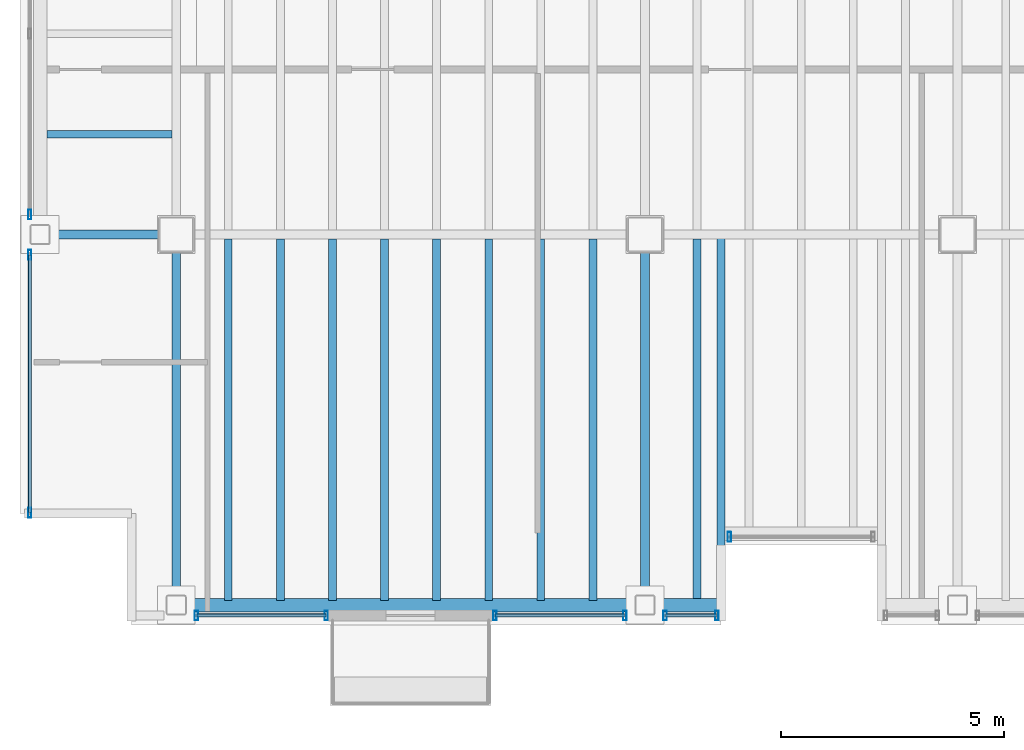
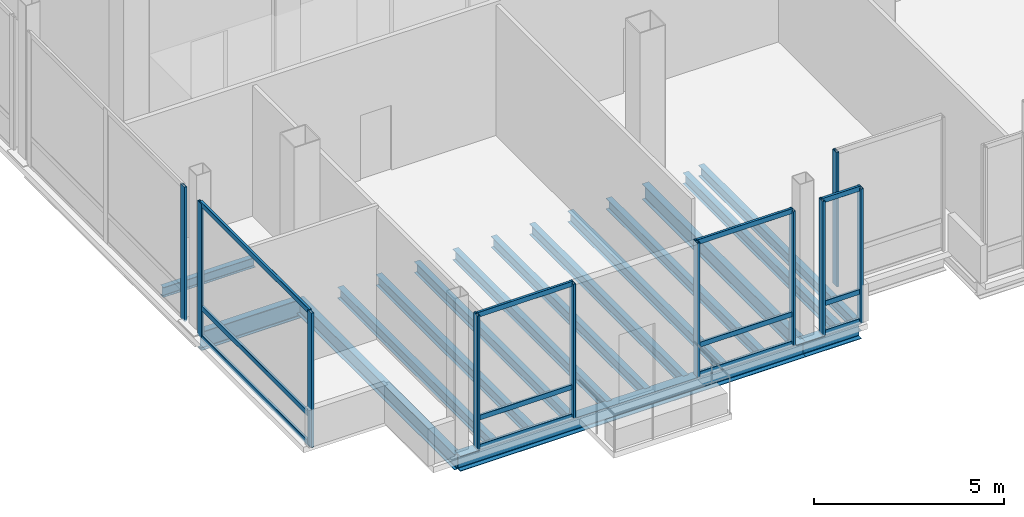
# One storey, part 2 of 15: 22 members, 16 beams, 6 elements without a shape of their own.
"""IFC4 building model written with IfcOpenShell, lengths in metres."""

from ifc_helpers import new_model, si_unit, direction, frame, origin, origin_2d, place, context, subcontext, project, spatial, hollow_rectangle, i_section, extrude, material, material_profile, profile_set, type_object, element, aggregate, save


model = new_model("IFC4")

# Units and contexts
model_context = context("Model", 3, precision=1e-05, world=origin(), true_north=direction((0.0, 1.0)))
body_context = subcontext(model_context, "Body", "Model", "MODEL_VIEW")
ifc_project = project(units=[si_unit("LENGTHUNIT", "METRE"), si_unit("AREAUNIT", "SQUARE_METRE"), si_unit("VOLUMEUNIT", "CUBIC_METRE"), si_unit("PLANEANGLEUNIT", "RADIAN"), si_unit("MASSUNIT", "GRAM", prefix="KILO")], contexts=[model_context])

# Site, building, storey
site_placement = place(None, origin())
site = spatial("IfcSite", under=ifc_project, at=site_placement, CompositionType="ELEMENT")
building_placement = place(site_placement, origin())
building = spatial("IfcBuilding", under=site, at=building_placement, Name="Noeulbin Bourse Tower", CompositionType="ELEMENT")
storey_placement = place(building_placement, frame((0.0, 0.0, 206.10009765625)))
storey = spatial("IfcBuildingStorey", under=building, at=storey_placement, Name="L51", CompositionType="ELEMENT", Elevation=206.10009765625)

# Beams
ifc_material_1 = material(Name="Steel S355", Category="steel")
ifc_material_profile_1 = material_profile(ifc_material_1, i_section(OverallWidth=0.199951171875, OverallDepth=0.5, WebThickness=0.010009765625, FlangeThickness=0.01611328125, FilletRadius=0.02001953125, at=origin_2d()), Name="H-500x200x10x16", Category="LoadBearing")
ifc_profile_set_1 = profile_set([ifc_material_profile_1], Name="Steel S355")
beam_type_1 = type_object("IfcBeamType", Name="BM-GRD-500", PredefinedType="USERDEFINED", material=ifc_profile_set_1)
for number, where, z_axis, x_axis, name in (
    (1, (13.5, 11.699951171875, -0.43017578125), (0.0, 1.0, 0.0), (-1.0, 0.0, 0.0), "Tower Primary Girder NS L51-1.1"),
    (2, (24.0, 11.699951171875, -0.43017578125), (0.0, 1.0, 0.0), (-1.0, 0.0, 0.0), "Tower Primary Girder NS L51-2.1"),
):
    element("IfcBeam", number, at=place(storey_placement, frame(where, z_axis=z_axis, x_axis=x_axis)), inside=storey, type_object=beam_type_1, Name=name, ObjectType="GIRDER", PredefinedType="USERDEFINED", context=body_context, shape_type="SweptSolid", body=[
        extrude(i_section(OverallWidth=0.199951171875, OverallDepth=0.5, WebThickness=0.010009765625, FlangeThickness=0.01611328125, FilletRadius=0.02001953125, at=origin_2d()), origin(), (0.0, 0.0, 1.0), 8.300048828125),
    ])
ifc_material_profile_2 = material_profile(ifc_material_1, i_section(OverallWidth=0.199951171875, OverallDepth=0.60009765625, WebThickness=0.010986328125, FlangeThickness=0.01708984375, FilletRadius=0.02197265625, at=origin_2d()), Name="H-600x200x11x17", Category="LoadBearing")
ifc_profile_set_2 = profile_set([ifc_material_profile_2], Name="Steel S355")
beam_type_2 = type_object("IfcBeamType", Name="BM-GRD-600", PredefinedType="USERDEFINED", material=ifc_profile_set_2)
beam_1_placement = place(storey_placement, frame((10.449951171875, 20.0, -0.47998046875), z_axis=(1.0, 0.0, 0.0), x_axis=(0.0, 1.0, 0.0)))
element("IfcBeam", 3, at=beam_1_placement, inside=storey, type_object=beam_type_2, Name="Tower Primary Girder EW L51-1.1", ObjectType="GIRDER", PredefinedType="USERDEFINED", context=body_context, shape_type="SweptSolid", body=[
    extrude(i_section(OverallWidth=0.199951171875, OverallDepth=0.60009765625, WebThickness=0.010986328125, FlangeThickness=0.01708984375, FilletRadius=0.02197265625, at=origin_2d()), origin(), (0.0, 0.0, 1.0), 3.050048828125),
])
ifc_material_profile_3 = material_profile(ifc_material_1, i_section(OverallWidth=0.159912109375, OverallDepth=0.320068359375, WebThickness=0.006591796875, FlangeThickness=0.010009765625, FilletRadius=0.012939453125, at=origin_2d()), Name="H-320x160x6.5x10", Category="LoadBearing")
ifc_profile_set_3 = profile_set([ifc_material_profile_3], Name="Steel S355")
beam_type_3 = type_object("IfcBeamType", Name="BM-JST-320", PredefinedType="JOIST", material=ifc_profile_set_3)
beam_2_placement = place(storey_placement, frame((10.60009765625, 22.25, -0.340087890625), z_axis=(1.0, 0.0, 0.0), x_axis=(0.0, 1.0, 0.0)))
element("IfcBeam", 4, at=beam_2_placement, inside=storey, type_object=beam_type_3, Name="Wing Composite Joist L51-W47", PredefinedType="JOIST", context=body_context, shape_type="SweptSolid", body=[
    extrude(i_section(OverallWidth=0.159912109375, OverallDepth=0.320068359375, WebThickness=0.006591796875, FlangeThickness=0.010009765625, FilletRadius=0.012939453125, at=origin_2d()), origin(), (0.0, 0.0, 1.0), 2.7998046875),
])
ifc_material_profile_4 = material_profile(ifc_material_1, i_section(OverallWidth=0.175048828125, OverallDepth=0.35009765625, WebThickness=0.007080078125, FlangeThickness=0.010986328125, FilletRadius=0.013916015625, at=origin_2d()), Name="H-350x175x7x11", Category="LoadBearing")
ifc_profile_set_4 = profile_set([ifc_material_profile_4], Name="Steel S355")
beam_type_4 = type_object("IfcBeamType", Name="BM-JST-350", PredefinedType="JOIST", material=ifc_profile_set_4)
beam_3_placement = place(storey_placement, frame((25.699951171875, 11.699951171875, -0.35498046875), z_axis=(0.0, 1.0, 0.0), x_axis=(-1.0, 0.0, 0.0)))
element("IfcBeam", 5, at=beam_3_placement, inside=storey, type_object=beam_type_4, Name="BM-L51-SRT-W", PredefinedType="JOIST", context=body_context, shape_type="SweptSolid", body=[
    extrude(i_section(OverallWidth=0.175048828125, OverallDepth=0.35009765625, WebThickness=0.007080078125, FlangeThickness=0.010986328125, FilletRadius=0.013916015625, at=origin_2d()), origin(), (0.0, 0.0, 1.0), 8.300048828125),
])
for number, where, z_axis, x_axis, name in (
    (6, (14.666748046875, 11.800048828125, -0.35498046875), (0.0, 1.0, 0.0), (-1.0, 0.0, 0.0), "Tower Composite Joist L51-01"),
    (7, (15.833251953125, 11.800048828125, -0.35498046875), (0.0, 1.0, 0.0), (-1.0, 0.0, 0.0), "Tower Composite Joist L51-03"),
    (8, (17.0, 11.800048828125, -0.35498046875), (0.0, 1.0, 0.0), (-1.0, 0.0, 0.0), "Tower Composite Joist L51-05"),
    (9, (18.166748046875, 11.800048828125, -0.35498046875), (0.0, 1.0, 0.0), (-1.0, 0.0, 0.0), "Tower Composite Joist L51-07"),
    (10, (19.333251953125, 11.800048828125, -0.35498046875), (0.0, 1.0, 0.0), (-1.0, 0.0, 0.0), "Tower Composite Joist L51-09"),
    (11, (20.5, 11.800048828125, -0.35498046875), (0.0, 1.0, 0.0), (-1.0, 0.0, 0.0), "Tower Composite Joist L51-11"),
    (12, (21.666748046875, 11.800048828125, -0.35498046875), (0.0, 1.0, 0.0), (-1.0, 0.0, 0.0), "Tower Composite Joist L51-13"),
    (13, (22.833251953125, 11.800048828125, -0.35498046875), (0.0, 1.0, 0.0), (-1.0, 0.0, 0.0), "Tower Composite Joist L51-15"),
    (14, (25.166748046875, 11.800048828125, -0.35498046875), (0.0, 1.0, 0.0), (-1.0, 0.0, 0.0), "Tower Composite Joist L51-17"),
):
    element("IfcBeam", number, at=place(storey_placement, frame(where, z_axis=z_axis, x_axis=x_axis)), inside=storey, type_object=beam_type_4, Name=name, PredefinedType="JOIST", context=body_context, shape_type="SweptSolid", body=[
        extrude(i_section(OverallWidth=0.175048828125, OverallDepth=0.35009765625, WebThickness=0.007080078125, FlangeThickness=0.010986328125, FilletRadius=0.013916015625, at=origin_2d()), origin(), (0.0, 0.0, 1.0), 8.099853515625),
    ])
ifc_material_profile_5 = material_profile(ifc_material_1, i_section(OverallWidth=0.300048828125, OverallDepth=0.488037109375, WebThickness=0.010986328125, FlangeThickness=0.01806640625, FilletRadius=0.02197265625, at=origin_2d()), Name="H-488x300x11x18", Category="LoadBearing")
ifc_profile_set_5 = profile_set([ifc_material_profile_5], Name="Steel S355")
beam_type_5 = type_object("IfcBeamType", Name="BM-SPN-488", PredefinedType="SPANDREL", material=ifc_profile_set_5)
beam_4_placement = place(storey_placement, frame((13.5, 11.699951171875, -0.424072265625), z_axis=(1.0, 0.0, 0.0), x_axis=(0.0, 1.0, 0.0)))
element("IfcBeam", 15, at=beam_4_placement, inside=storey, type_object=beam_type_5, Name="South Spandrel L51-1", PredefinedType="SPANDREL", context=body_context, shape_type="SweptSolid", body=[
    extrude(i_section(OverallWidth=0.300048828125, OverallDepth=0.488037109375, WebThickness=0.010986328125, FlangeThickness=0.01806640625, FilletRadius=0.02197265625, at=origin_2d()), origin(), (0.0, 0.0, 1.0), 10.5),
])
beam_5_placement = place(storey_placement, frame((24.0, 11.699951171875, -0.424072265625), z_axis=(1.0, 0.0, 0.0), x_axis=(0.0, 1.0, 0.0)))
element("IfcBeam", 16, at=beam_5_placement, inside=storey, type_object=beam_type_5, Name="South Spandrel L51-2A", PredefinedType="SPANDREL", context=body_context, shape_type="SweptSolid", body=[
    extrude(i_section(OverallWidth=0.300048828125, OverallDepth=0.488037109375, WebThickness=0.010986328125, FlangeThickness=0.01806640625, FilletRadius=0.02197265625, at=origin_2d()), origin(), (0.0, 0.0, 1.0), 1.699951171875),
])

# Curtain wall, member
ifc_material_2 = material(Name="High-Selectivity Low-Iron Glazing", Category="glass")
curtain_wall_type = type_object("IfcCurtainWallType", Name="CW-SYS-4", PredefinedType="NOTDEFINED", material=ifc_material_2)
curtain_wall_1_placement = place(storey_placement, origin())
curtain_wall_1 = element("IfcCurtainWall", 17, at=curtain_wall_1_placement, inside=storey, type_object=curtain_wall_type, Name="Unitised Curtain Wall CW-L51-SREC", PredefinedType="NOTDEFINED")
ifc_material_3 = material(Name="Anodised Aluminium 6063-T6", Category="aluminium")
ifc_material_profile_6 = material_profile(ifc_material_3, hollow_rectangle(XDim=0.074951171875, YDim=0.219970703125, WallThickness=0.0048828125, InnerFilletRadius=0.00244140625, OuterFilletRadius=0.0048828125, at=origin_2d()), Name="ALU-MULL-75x220x5", Category="LoadBearing")
ifc_profile_set_6 = profile_set([ifc_material_profile_6], Name="Anodised Aluminium 6063-T6")
member_type_1 = type_object("IfcMemberType", Name="CW-SYS-4-MUL", PredefinedType="MULLION", material=ifc_profile_set_6)
member_1_placement = place(storey_placement, frame((25.889892578125, 13.22998046875, -0.02001953125), z_axis=(0.0, 0.0, 1.0), x_axis=(1.0, 0.0, 0.0)))
member_1 = element("IfcMember", 18, at=member_1_placement, type_object=member_type_1, Name="Curtain Wall Mullion CW-L51-SREC-M00", PredefinedType="MULLION", context=body_context, shape_type="SweptSolid", body=[
    extrude(hollow_rectangle(XDim=0.074951171875, YDim=0.219970703125, WallThickness=0.0048828125, InnerFilletRadius=0.00244140625, OuterFilletRadius=0.0048828125, at=origin_2d()), origin(), (0.0, 0.0, 1.0), 4.31982421875),
])
aggregate(curtain_wall_1, [member_1])

# Curtain wall, members
curtain_wall_2_placement = place(storey_placement, origin())
curtain_wall_2 = element("IfcCurtainWall", 19, at=curtain_wall_2_placement, inside=storey, type_object=curtain_wall_type, Name="Unitised Curtain Wall CW-L51-S1", PredefinedType="NOTDEFINED")
member_2_placement = place(storey_placement, frame((13.949951171875, 11.469970703125, -0.02001953125), z_axis=(0.0, 0.0, 1.0), x_axis=(1.0, 0.0, 0.0)))
member_2 = element("IfcMember", 20, at=member_2_placement, type_object=member_type_1, Name="Curtain Wall Mullion CW-L51-S1-M00", PredefinedType="MULLION", context=body_context, shape_type="SweptSolid", body=[
    extrude(hollow_rectangle(XDim=0.074951171875, YDim=0.219970703125, WallThickness=0.0048828125, InnerFilletRadius=0.00244140625, OuterFilletRadius=0.0048828125, at=origin_2d()), origin(), (0.0, 0.0, 1.0), 4.31982421875),
])
member_3_placement = place(storey_placement, frame((16.860107421875, 11.469970703125, -0.02001953125), z_axis=(0.0, 0.0, 1.0), x_axis=(1.0, 0.0, 0.0)))
member_3 = element("IfcMember", 21, at=member_3_placement, type_object=member_type_1, Name="Curtain Wall Mullion CW-L51-S1-M01", PredefinedType="MULLION", context=body_context, shape_type="SweptSolid", body=[
    extrude(hollow_rectangle(XDim=0.074951171875, YDim=0.219970703125, WallThickness=0.0048828125, InnerFilletRadius=0.00244140625, OuterFilletRadius=0.0048828125, at=origin_2d()), origin(), (0.0, 0.0, 1.0), 4.31982421875),
])

curtain_wall_3_placement = place(storey_placement, origin())
curtain_wall_3 = element("IfcCurtainWall", 22, at=curtain_wall_3_placement, inside=storey, type_object=curtain_wall_type, Name="Unitised Curtain Wall CW-L51-S2-S1", PredefinedType="NOTDEFINED")
member_4_placement = place(storey_placement, frame((20.639892578125, 11.469970703125, -0.02001953125), z_axis=(0.0, 0.0, 1.0), x_axis=(1.0, 0.0, 0.0)))
member_4 = element("IfcMember", 23, at=member_4_placement, type_object=member_type_1, Name="Curtain Wall Mullion CW-L51-S2-S1-M00", PredefinedType="MULLION", context=body_context, shape_type="SweptSolid", body=[
    extrude(hollow_rectangle(XDim=0.074951171875, YDim=0.219970703125, WallThickness=0.0048828125, InnerFilletRadius=0.00244140625, OuterFilletRadius=0.0048828125, at=origin_2d()), origin(), (0.0, 0.0, 1.0), 4.31982421875),
])
member_5_placement = place(storey_placement, frame((23.550048828125, 11.469970703125, -0.02001953125), z_axis=(0.0, 0.0, 1.0), x_axis=(1.0, 0.0, 0.0)))
member_5 = element("IfcMember", 24, at=member_5_placement, type_object=member_type_1, Name="Curtain Wall Mullion CW-L51-S2-S1-M01", PredefinedType="MULLION", context=body_context, shape_type="SweptSolid", body=[
    extrude(hollow_rectangle(XDim=0.074951171875, YDim=0.219970703125, WallThickness=0.0048828125, InnerFilletRadius=0.00244140625, OuterFilletRadius=0.0048828125, at=origin_2d()), origin(), (0.0, 0.0, 1.0), 4.31982421875),
])

curtain_wall_4_placement = place(storey_placement, origin())
curtain_wall_4 = element("IfcCurtainWall", 25, at=curtain_wall_4_placement, inside=storey, type_object=curtain_wall_type, Name="Unitised Curtain Wall CW-L51-S2-S2", PredefinedType="NOTDEFINED")
member_6_placement = place(storey_placement, frame((24.449951171875, 11.469970703125, -0.02001953125), z_axis=(0.0, 0.0, 1.0), x_axis=(1.0, 0.0, 0.0)))
member_6 = element("IfcMember", 26, at=member_6_placement, type_object=member_type_1, Name="Curtain Wall Mullion CW-L51-S2-S2-M00", PredefinedType="MULLION", context=body_context, shape_type="SweptSolid", body=[
    extrude(hollow_rectangle(XDim=0.074951171875, YDim=0.219970703125, WallThickness=0.0048828125, InnerFilletRadius=0.00244140625, OuterFilletRadius=0.0048828125, at=origin_2d()), origin(), (0.0, 0.0, 1.0), 4.31982421875),
])
member_7_placement = place(storey_placement, frame((25.610107421875, 11.469970703125, -0.02001953125), z_axis=(0.0, 0.0, 1.0), x_axis=(1.0, 0.0, 0.0)))
member_7 = element("IfcMember", 27, at=member_7_placement, type_object=member_type_1, Name="Curtain Wall Mullion CW-L51-S2-S2-M01", PredefinedType="MULLION", context=body_context, shape_type="SweptSolid", body=[
    extrude(hollow_rectangle(XDim=0.074951171875, YDim=0.219970703125, WallThickness=0.0048828125, InnerFilletRadius=0.00244140625, OuterFilletRadius=0.0048828125, at=origin_2d()), origin(), (0.0, 0.0, 1.0), 4.31982421875),
])

curtain_wall_5_placement = place(storey_placement, origin())
curtain_wall_5 = element("IfcCurtainWall", 28, at=curtain_wall_5_placement, inside=storey, type_object=curtain_wall_type, Name="Unitised Curtain Wall CW-L51-W-S1", PredefinedType="NOTDEFINED")
member_8_placement = place(storey_placement, frame((10.219970703125, 13.77001953125, -0.02001953125), z_axis=(0.0, 0.0, 1.0), x_axis=(1.0, 0.0, 0.0)))
member_8 = element("IfcMember", 29, at=member_8_placement, type_object=member_type_1, Name="Curtain Wall Mullion CW-L51-W-S1-M00", PredefinedType="MULLION", context=body_context, shape_type="SweptSolid", body=[
    extrude(hollow_rectangle(XDim=0.074951171875, YDim=0.219970703125, WallThickness=0.0048828125, InnerFilletRadius=0.00244140625, OuterFilletRadius=0.0048828125, at=origin_2d()), origin(), (0.0, 0.0, 1.0), 4.31982421875),
])
member_9_placement = place(storey_placement, frame((10.219970703125, 19.550048828125, -0.02001953125), z_axis=(0.0, 0.0, 1.0), x_axis=(1.0, 0.0, 0.0)))
member_9 = element("IfcMember", 30, at=member_9_placement, type_object=member_type_1, Name="Curtain Wall Mullion CW-L51-W-S1-M01", PredefinedType="MULLION", context=body_context, shape_type="SweptSolid", body=[
    extrude(hollow_rectangle(XDim=0.074951171875, YDim=0.219970703125, WallThickness=0.0048828125, InnerFilletRadius=0.00244140625, OuterFilletRadius=0.0048828125, at=origin_2d()), origin(), (0.0, 0.0, 1.0), 4.31982421875),
])

# Curtain wall, member
curtain_wall_6_placement = place(storey_placement, origin())
curtain_wall_6 = element("IfcCurtainWall", 31, at=curtain_wall_6_placement, inside=storey, type_object=curtain_wall_type, Name="Unitised Curtain Wall CW-L51-W-S2", PredefinedType="NOTDEFINED")
member_10_placement = place(storey_placement, frame((10.219970703125, 20.449951171875, -0.02001953125), z_axis=(0.0, 0.0, 1.0), x_axis=(1.0, 0.0, 0.0)))
member_10 = element("IfcMember", 32, at=member_10_placement, type_object=member_type_1, Name="Curtain Wall Mullion CW-L51-W-S2-M00", PredefinedType="MULLION", context=body_context, shape_type="SweptSolid", body=[
    extrude(hollow_rectangle(XDim=0.074951171875, YDim=0.219970703125, WallThickness=0.0048828125, InnerFilletRadius=0.00244140625, OuterFilletRadius=0.0048828125, at=origin_2d()), origin(), (0.0, 0.0, 1.0), 4.31982421875),
])
aggregate(curtain_wall_6, [member_10])

# Member
ifc_material_profile_7 = material_profile(ifc_material_3, hollow_rectangle(XDim=0.074951171875, YDim=0.159912109375, WallThickness=0.0048828125, InnerFilletRadius=0.00244140625, OuterFilletRadius=0.0048828125, at=origin_2d()), Name="ALU-TRAN-75x160x5", Category="LoadBearing")
ifc_profile_set_7 = profile_set([ifc_material_profile_7], Name="Anodised Aluminium 6063-T6")
member_type_2 = type_object("IfcMemberType", Name="CW-SYS-4-TRN", PredefinedType="USERDEFINED", material=ifc_profile_set_7)
member_11_placement = place(storey_placement, frame((13.9599609375, 11.469970703125, 0.010009765625), z_axis=(1.0, 0.0, 0.0), x_axis=(0.0, 1.0, 0.0)))
member_11 = element("IfcMember", 33, at=member_11_placement, type_object=member_type_2, Name="Curtain Wall Transom CW-L51-S1-T00", ObjectType="TRANSOM", PredefinedType="USERDEFINED", context=body_context, shape_type="SweptSolid", body=[
    extrude(hollow_rectangle(XDim=0.074951171875, YDim=0.159912109375, WallThickness=0.0048828125, InnerFilletRadius=0.00244140625, OuterFilletRadius=0.0048828125, at=origin_2d()), origin(), (0.0, 0.0, 1.0), 2.89013671875),
])

member_12_placement = place(storey_placement, frame((13.9599609375, 11.469970703125, 0.949951171875), z_axis=(1.0, 0.0, 0.0), x_axis=(0.0, 1.0, 0.0)))
member_12 = element("IfcMember", 34, at=member_12_placement, type_object=member_type_2, Name="Curtain Wall Transom CW-L51-S1-T01", ObjectType="TRANSOM", PredefinedType="USERDEFINED", context=body_context, shape_type="SweptSolid", body=[
    extrude(hollow_rectangle(XDim=0.074951171875, YDim=0.159912109375, WallThickness=0.0048828125, InnerFilletRadius=0.00244140625, OuterFilletRadius=0.0048828125, at=origin_2d()), origin(), (0.0, 0.0, 1.0), 2.89013671875),
])

member_13_placement = place(storey_placement, frame((13.9599609375, 11.469970703125, 4.27001953125), z_axis=(1.0, 0.0, 0.0), x_axis=(0.0, 1.0, 0.0)))
member_13 = element("IfcMember", 35, at=member_13_placement, type_object=member_type_2, Name="Curtain Wall Transom CW-L51-S1-T02", ObjectType="TRANSOM", PredefinedType="USERDEFINED", context=body_context, shape_type="SweptSolid", body=[
    extrude(hollow_rectangle(XDim=0.074951171875, YDim=0.159912109375, WallThickness=0.0048828125, InnerFilletRadius=0.00244140625, OuterFilletRadius=0.0048828125, at=origin_2d()), origin(), (0.0, 0.0, 1.0), 2.89013671875),
])

aggregate(curtain_wall_2, [member_2, member_3, member_11, member_12, member_13])

member_14_placement = place(storey_placement, frame((20.64990234375, 11.469970703125, 0.010009765625), z_axis=(1.0, 0.0, 0.0), x_axis=(0.0, 1.0, 0.0)))
member_14 = element("IfcMember", 36, at=member_14_placement, type_object=member_type_2, Name="Curtain Wall Transom CW-L51-S2-S1-T00", ObjectType="TRANSOM", PredefinedType="USERDEFINED", context=body_context, shape_type="SweptSolid", body=[
    extrude(hollow_rectangle(XDim=0.074951171875, YDim=0.159912109375, WallThickness=0.0048828125, InnerFilletRadius=0.00244140625, OuterFilletRadius=0.0048828125, at=origin_2d()), origin(), (0.0, 0.0, 1.0), 2.89013671875),
])

member_15_placement = place(storey_placement, frame((20.64990234375, 11.469970703125, 0.949951171875), z_axis=(1.0, 0.0, 0.0), x_axis=(0.0, 1.0, 0.0)))
member_15 = element("IfcMember", 37, at=member_15_placement, type_object=member_type_2, Name="Curtain Wall Transom CW-L51-S2-S1-T01", ObjectType="TRANSOM", PredefinedType="USERDEFINED", context=body_context, shape_type="SweptSolid", body=[
    extrude(hollow_rectangle(XDim=0.074951171875, YDim=0.159912109375, WallThickness=0.0048828125, InnerFilletRadius=0.00244140625, OuterFilletRadius=0.0048828125, at=origin_2d()), origin(), (0.0, 0.0, 1.0), 2.89013671875),
])

member_16_placement = place(storey_placement, frame((20.64990234375, 11.469970703125, 4.27001953125), z_axis=(1.0, 0.0, 0.0), x_axis=(0.0, 1.0, 0.0)))
member_16 = element("IfcMember", 38, at=member_16_placement, type_object=member_type_2, Name="Curtain Wall Transom CW-L51-S2-S1-T02", ObjectType="TRANSOM", PredefinedType="USERDEFINED", context=body_context, shape_type="SweptSolid", body=[
    extrude(hollow_rectangle(XDim=0.074951171875, YDim=0.159912109375, WallThickness=0.0048828125, InnerFilletRadius=0.00244140625, OuterFilletRadius=0.0048828125, at=origin_2d()), origin(), (0.0, 0.0, 1.0), 2.89013671875),
])

aggregate(curtain_wall_3, [member_4, member_5, member_14, member_15, member_16])

member_17_placement = place(storey_placement, frame((24.4599609375, 11.469970703125, 0.010009765625), z_axis=(1.0, 0.0, 0.0), x_axis=(0.0, 1.0, 0.0)))
member_17 = element("IfcMember", 39, at=member_17_placement, type_object=member_type_2, Name="Curtain Wall Transom CW-L51-S2-S2-T00", ObjectType="TRANSOM", PredefinedType="USERDEFINED", context=body_context, shape_type="SweptSolid", body=[
    extrude(hollow_rectangle(XDim=0.074951171875, YDim=0.159912109375, WallThickness=0.0048828125, InnerFilletRadius=0.00244140625, OuterFilletRadius=0.0048828125, at=origin_2d()), origin(), (0.0, 0.0, 1.0), 1.14013671875),
])

member_18_placement = place(storey_placement, frame((24.4599609375, 11.469970703125, 0.949951171875), z_axis=(1.0, 0.0, 0.0), x_axis=(0.0, 1.0, 0.0)))
member_18 = element("IfcMember", 40, at=member_18_placement, type_object=member_type_2, Name="Curtain Wall Transom CW-L51-S2-S2-T01", ObjectType="TRANSOM", PredefinedType="USERDEFINED", context=body_context, shape_type="SweptSolid", body=[
    extrude(hollow_rectangle(XDim=0.074951171875, YDim=0.159912109375, WallThickness=0.0048828125, InnerFilletRadius=0.00244140625, OuterFilletRadius=0.0048828125, at=origin_2d()), origin(), (0.0, 0.0, 1.0), 1.14013671875),
])

member_19_placement = place(storey_placement, frame((24.4599609375, 11.469970703125, 4.27001953125), z_axis=(1.0, 0.0, 0.0), x_axis=(0.0, 1.0, 0.0)))
member_19 = element("IfcMember", 41, at=member_19_placement, type_object=member_type_2, Name="Curtain Wall Transom CW-L51-S2-S2-T02", ObjectType="TRANSOM", PredefinedType="USERDEFINED", context=body_context, shape_type="SweptSolid", body=[
    extrude(hollow_rectangle(XDim=0.074951171875, YDim=0.159912109375, WallThickness=0.0048828125, InnerFilletRadius=0.00244140625, OuterFilletRadius=0.0048828125, at=origin_2d()), origin(), (0.0, 0.0, 1.0), 1.14013671875),
])

aggregate(curtain_wall_4, [member_6, member_7, member_17, member_18, member_19])

member_20_placement = place(storey_placement, frame((10.219970703125, 13.780029296875, 0.010009765625), z_axis=(0.0, 1.0, 0.0), x_axis=(-1.0, 0.0, 0.0)))
member_20 = element("IfcMember", 42, at=member_20_placement, type_object=member_type_2, Name="Curtain Wall Transom CW-L51-W-S1-T00", ObjectType="TRANSOM", PredefinedType="USERDEFINED", context=body_context, shape_type="SweptSolid", body=[
    extrude(hollow_rectangle(XDim=0.074951171875, YDim=0.159912109375, WallThickness=0.0048828125, InnerFilletRadius=0.00244140625, OuterFilletRadius=0.0048828125, at=origin_2d()), origin(), (0.0, 0.0, 1.0), 5.760009765625),
])

member_21_placement = place(storey_placement, frame((10.219970703125, 13.780029296875, 0.949951171875), z_axis=(0.0, 1.0, 0.0), x_axis=(-1.0, 0.0, 0.0)))
member_21 = element("IfcMember", 43, at=member_21_placement, type_object=member_type_2, Name="Curtain Wall Transom CW-L51-W-S1-T01", ObjectType="TRANSOM", PredefinedType="USERDEFINED", context=body_context, shape_type="SweptSolid", body=[
    extrude(hollow_rectangle(XDim=0.074951171875, YDim=0.159912109375, WallThickness=0.0048828125, InnerFilletRadius=0.00244140625, OuterFilletRadius=0.0048828125, at=origin_2d()), origin(), (0.0, 0.0, 1.0), 5.760009765625),
])

member_22_placement = place(storey_placement, frame((10.219970703125, 13.780029296875, 4.27001953125), z_axis=(0.0, 1.0, 0.0), x_axis=(-1.0, 0.0, 0.0)))
member_22 = element("IfcMember", 44, at=member_22_placement, type_object=member_type_2, Name="Curtain Wall Transom CW-L51-W-S1-T02", ObjectType="TRANSOM", PredefinedType="USERDEFINED", context=body_context, shape_type="SweptSolid", body=[
    extrude(hollow_rectangle(XDim=0.074951171875, YDim=0.159912109375, WallThickness=0.0048828125, InnerFilletRadius=0.00244140625, OuterFilletRadius=0.0048828125, at=origin_2d()), origin(), (0.0, 0.0, 1.0), 5.760009765625),
])

aggregate(curtain_wall_5, [member_8, member_9, member_20, member_21, member_22])

save(model, "model.ifc")
